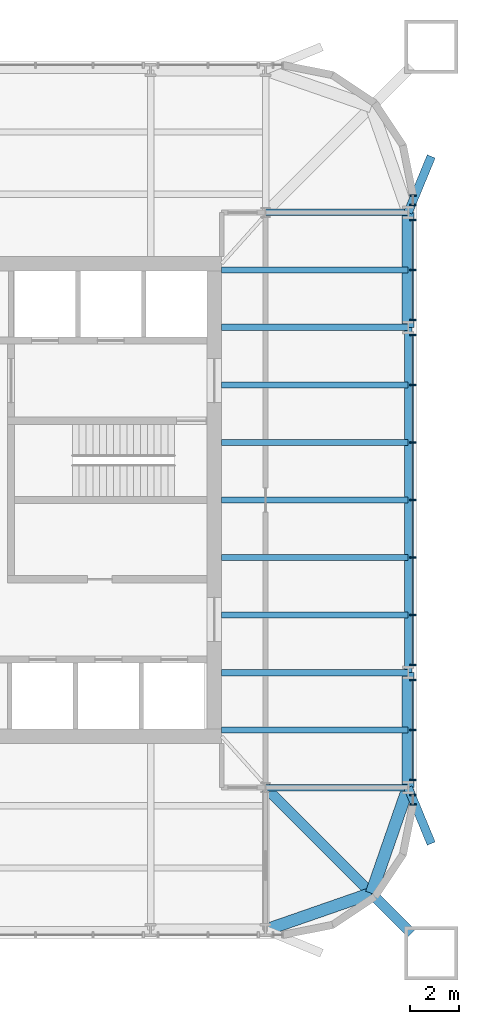
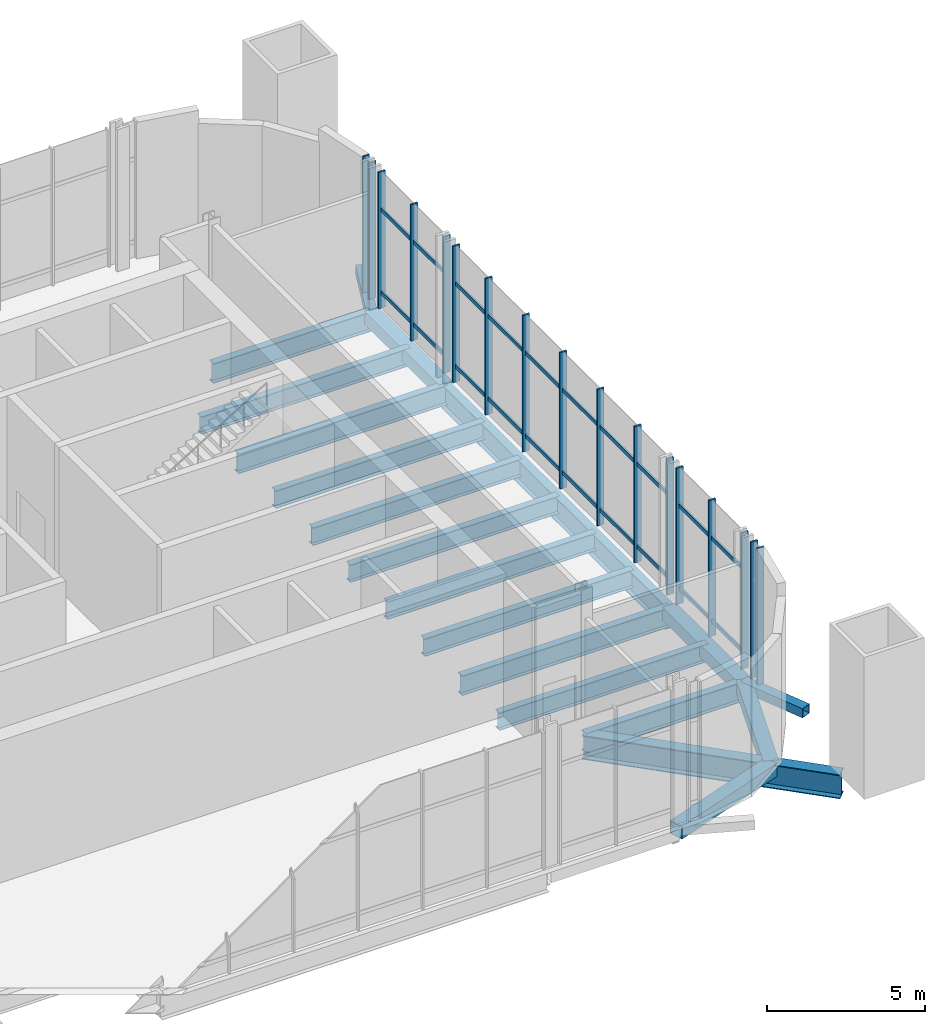
# One storey, part 5 of 17: 37 members, 19 beams, 5 elements without a shape of their own.
"""IFC4 building model written with IfcOpenShell, lengths in metres."""

from ifc_helpers import new_model, si_unit, direction, frame, origin, origin_2d, place, context, subcontext, project, spatial, rectangle, hollow_rectangle, i_section, extrude, material, material_profile, profile_set, type_object, element, aggregate, save


model = new_model("IFC4")

# Units and contexts
model_context = context("Model", 3, precision=1e-05, world=origin(), true_north=direction((0.0, 1.0)))
body_context = subcontext(model_context, "Body", "Model", "MODEL_VIEW")
ifc_project = project(units=[si_unit("LENGTHUNIT", "METRE"), si_unit("AREAUNIT", "SQUARE_METRE"), si_unit("VOLUMEUNIT", "CUBIC_METRE"), si_unit("PLANEANGLEUNIT", "RADIAN"), si_unit("MASSUNIT", "GRAM", prefix="KILO")], contexts=[model_context])

# Site, building, storey
site_placement = place(None, origin())
site = spatial("IfcSite", under=ifc_project, at=site_placement, CompositionType="ELEMENT")
building_placement = place(site_placement, origin())
building = spatial("IfcBuilding", under=site, at=building_placement, Name="Turquesa Mirador Hotel Tower", CompositionType="ELEMENT")
storey_placement = place(building_placement, frame((0.0, 0.0, 266.699951171875)))
storey = spatial("IfcBuildingStorey", under=building, at=storey_placement, Name="L72", CompositionType="ELEMENT", Elevation=266.699951171875)

# Beams
ifc_material_1 = material(Name="Steel ASTM A572 Grade 50", Category="steel")
ifc_material_profile_1 = material_profile(ifc_material_1, hollow_rectangle(XDim=0.5, YDim=0.5, WallThickness=0.01611328125, at=origin_2d()), Name="BOX500X500X16")
ifc_profile_set_1 = profile_set([ifc_material_profile_1], Name="Steel ASTM A572 Grade 50")
beam_type_1 = type_object("IfcBeamType", Name="BEAM BOX500X500X16", PredefinedType="BEAM", material=ifc_profile_set_1)
for number, where, z_axis, x_axis, name in (
    (1, (72.64990234375, 33.199951171875, -0.419921875), (0.0, 1.0, 0.0), (-1.0, 0.0, 0.0), "EB-L72-E-L"),
    (2, (72.64990234375, 52.080078125, -0.419921875), (0.0, 1.0, 0.0), (-1.0, 0.0, 0.0), "EB-L72-E-R"),
):
    element("IfcBeam", number, at=place(storey_placement, frame(where, z_axis=z_axis, x_axis=x_axis)), inside=storey, type_object=beam_type_1, Name=name, PredefinedType="BEAM", context=body_context, shape_type="SweptSolid", body=[
        extrude(hollow_rectangle(XDim=0.5, YDim=0.5, WallThickness=0.01611328125, at=origin_2d()), origin(), (0.0, 0.0, 1.0), 4.719970703125),
    ])
for number, where, z_axis, x_axis, name in (
    (3, (72.64990234375, 33.199951171875, -0.419921875), (-0.328170356092, -0.944618556552, 0.0), (0.944618556552, -0.328170356092, 0.0), "KE-L72-4-0"),
    (4, (71.1416015625, 28.8583984375, -0.419921875), (-0.944618556552, -0.328170356092, 0.0), (0.328170356092, -0.944618556552, 0.0), "KE-L72-4-1"),
):
    element("IfcBeam", number, at=place(storey_placement, frame(where, z_axis=z_axis, x_axis=x_axis)), inside=storey, type_object=beam_type_1, Name=name, PredefinedType="BEAM", context=body_context, shape_type="SweptSolid", body=[
        extrude(hollow_rectangle(XDim=0.5, YDim=0.5, WallThickness=0.01611328125, at=origin_2d()), origin(), (0.0, 0.0, 1.0), 4.59619140625),
    ])
ifc_material_2 = material(Name="Steel ASTM A992 Grade 50", Category="steel")
ifc_material_profile_2 = material_profile(ifc_material_2, i_section(OverallWidth=0.25390625, OverallDepth=0.683349609375, WebThickness=0.012451171875, FlangeThickness=0.018798828125, at=origin_2d()), Name="W27X94")
ifc_profile_set_2 = profile_set([ifc_material_profile_2], Name="Steel ASTM A992 Grade 50")
beam_type_2 = type_object("IfcBeamType", Name="BEAM W27X94", PredefinedType="BEAM", material=ifc_profile_set_2)
for number, where, z_axis, x_axis, name in (
    (5, (72.64990234375, 35.56005859375, -0.511474609375), (-1.0, 0.0, 0.0), (0.0, -1.0, 0.0), "BM-L72-E--9.44"),
    (6, (72.64990234375, 40.280029296875, -0.511474609375), (-1.0, 0.0, 0.0), (0.0, -1.0, 0.0), "BM-L72-E--4.72"),
    (7, (72.64990234375, 42.639892578125, -0.511474609375), (-1.0, 0.0, 0.0), (0.0, -1.0, 0.0), "BM-L72-E--2.36"),
    (8, (72.64990234375, 45.0, -0.511474609375), (-1.0, 0.0, 0.0), (0.0, -1.0, 0.0), "BM-L72-E-+0.00"),
    (9, (72.64990234375, 47.360107421875, -0.511474609375), (-1.0, 0.0, 0.0), (0.0, -1.0, 0.0), "BM-L72-E-+2.36"),
    (10, (72.64990234375, 49.719970703125, -0.511474609375), (-1.0, 0.0, 0.0), (0.0, -1.0, 0.0), "BM-L72-E-+4.72"),
    (11, (72.64990234375, 54.43994140625, -0.511474609375), (-1.0, 0.0, 0.0), (0.0, -1.0, 0.0), "BM-L72-E-+9.44"),
):
    element("IfcBeam", number, at=place(storey_placement, frame(where, z_axis=z_axis, x_axis=x_axis)), inside=storey, type_object=beam_type_2, Name=name, PredefinedType="BEAM", context=body_context, shape_type="SweptSolid", body=[
        extrude(i_section(OverallWidth=0.25390625, OverallDepth=0.683349609375, WebThickness=0.012451171875, FlangeThickness=0.018798828125, at=origin_2d()), origin(), (0.0, 0.0, 1.0), 7.64990234375),
    ])
ifc_material_3 = material(Name="Steel ASTM A992 Grade 50", Category="steel")
ifc_material_profile_3 = material_profile(ifc_material_3, i_section(OverallWidth=0.2666015625, OverallDepth=0.761962890625, WebThickness=0.014404296875, FlangeThickness=0.021484375, at=origin_2d()), Name="W30X116")
ifc_profile_set_3 = profile_set([ifc_material_profile_3], Name="Steel ASTM A992 Grade 50")
beam_type_3 = type_object("IfcBeamType", Name="BEAM W30X116", PredefinedType="BEAM", material=ifc_profile_set_3)
for number, where, z_axis, x_axis, name in (
    (12, (72.64990234375, 37.919921875, -0.551025390625), (-1.0, 0.0, 0.0), (0.0, -1.0, 0.0), "GD-L72-E--7.08"),
    (13, (72.64990234375, 52.080078125, -0.551025390625), (-1.0, 0.0, 0.0), (0.0, -1.0, 0.0), "GD-L72-E-+7.08"),
):
    element("IfcBeam", number, at=place(storey_placement, frame(where, z_axis=z_axis, x_axis=x_axis)), inside=storey, type_object=beam_type_3, Name=name, PredefinedType="BEAM", context=body_context, shape_type="SweptSolid", body=[
        extrude(i_section(OverallWidth=0.2666015625, OverallDepth=0.761962890625, WebThickness=0.014404296875, FlangeThickness=0.021484375, at=origin_2d()), origin(), (0.0, 0.0, 1.0), 7.64990234375),
    ])
for number, where, z_axis, x_axis, name in (
    (14, (72.64990234375, 33.199951171875, -0.551025390625), (-1.0, 0.0, 0.0), (0.0, -1.0, 0.0), "GK-L72-E--11.80"),
    (15, (72.64990234375, 56.800048828125, -0.551025390625), (-1.0, 0.0, 0.0), (0.0, -1.0, 0.0), "GK-L72-E-+11.80"),
):
    element("IfcBeam", number, at=place(storey_placement, frame(where, z_axis=z_axis, x_axis=x_axis)), inside=storey, type_object=beam_type_3, Name=name, PredefinedType="BEAM", context=body_context, shape_type="SweptSolid", body=[
        extrude(i_section(OverallWidth=0.2666015625, OverallDepth=0.761962890625, WebThickness=0.014404296875, FlangeThickness=0.021484375, at=origin_2d()), origin(), (0.0, 0.0, 1.0), 5.849853515625),
    ])
ifc_material_4 = material(Name="Steel ASTM A992 Grade 50", Category="steel")
ifc_material_profile_4 = material_profile(ifc_material_4, i_section(OverallWidth=0.3046875, OverallDepth=0.911865234375, WebThickness=0.015869140625, FlangeThickness=0.02392578125, at=origin_2d()), Name="W36X150")
ifc_profile_set_4 = profile_set([ifc_material_profile_4], Name="Steel ASTM A992 Grade 50")
beam_type_4 = type_object("IfcBeamType", Name="BEAM W36X150", PredefinedType="BEAM", material=ifc_profile_set_4)
beam_1_placement = place(storey_placement, frame((72.64990234375, 37.919921875, -0.6259765625), z_axis=(0.0, 1.0, 0.0), x_axis=(-1.0, 0.0, 0.0)))
element("IfcBeam", 16, at=beam_1_placement, inside=storey, type_object=beam_type_4, Name="EB-L72-E-C", PredefinedType="BEAM", context=body_context, shape_type="SweptSolid", body=[
    extrude(i_section(OverallWidth=0.3046875, OverallDepth=0.911865234375, WebThickness=0.015869140625, FlangeThickness=0.02392578125, at=origin_2d()), origin(), (0.0, 0.0, 1.0), 14.16015625),
])
ifc_material_5 = material(Name="Steel ASTM A992 Grade 50", Category="steel")
ifc_material_profile_5 = material_profile(ifc_material_5, i_section(OverallWidth=0.419189453125, OverallDepth=0.927001953125, WebThickness=0.019287109375, FlangeThickness=0.031982421875, at=origin_2d()), Name="W36X231")
ifc_profile_set_5 = profile_set([ifc_material_profile_5], Name="Steel ASTM A992 Grade 50")
beam_type_5 = type_object("IfcBeamType", Name="BEAM W36X231", PredefinedType="BEAM", material=ifc_profile_set_5)
beam_2_placement = place(storey_placement, frame((66.800048828125, 33.199951171875, -0.633544921875), z_axis=(0.707106781187, -0.707106781187, 0.0), x_axis=(0.707106781187, 0.707106781187, 0.0)))
element("IfcBeam", 17, at=beam_2_placement, inside=storey, type_object=beam_type_5, Name="KD-L72-4", PredefinedType="BEAM", context=body_context, shape_type="SweptSolid", body=[
    extrude(i_section(OverallWidth=0.419189453125, OverallDepth=0.927001953125, WebThickness=0.019287109375, FlangeThickness=0.031982421875, at=origin_2d()), origin(), (0.0, 0.0, 1.0), 8.46240234375),
])
ifc_material_6 = material(Name="Steel ASTM A500 Grade C", Category="steel")
ifc_material_profile_6 = material_profile(ifc_material_6, hollow_rectangle(XDim=0.355712890625, YDim=0.355712890625, WallThickness=0.0146484375, at=origin_2d()), Name="HSS14X14X5/8")
ifc_profile_set_6 = profile_set([ifc_material_profile_6], Name="Steel ASTM A500 Grade C")
beam_type_6 = type_object("IfcBeamType", Name="BRACE STRUT HSS14X14X5/8", PredefinedType="BEAM", material=ifc_profile_set_6)
for number, where, z_axis, x_axis, name in (
    (18, (73.60009765625, 59.103271484375, -0.34765625), (-0.381370698887, -0.924422192524, 0.0), (0.924422192524, -0.381370698887, 0.0), "Brace strut"),
    (19, (73.60009765625, 30.896728515625, -0.34765625), (-0.381370698887, 0.924422192524, 0.0), (-0.924422192524, -0.381370698887, 0.0), "Brace strut"),
):
    element("IfcBeam", number, at=place(storey_placement, frame(where, z_axis=z_axis, x_axis=x_axis)), inside=storey, type_object=beam_type_6, Name=name, PredefinedType="BEAM", context=body_context, shape_type="SweptSolid", body=[
        extrude(hollow_rectangle(XDim=0.355712890625, YDim=0.355712890625, WallThickness=0.0146484375, at=origin_2d()), origin(), (0.0, 0.0, 1.0), 2.491455078125),
    ])

# Curtain wall, members
ifc_material_7 = material(Name="Aluminium extrusion", Category="aluminium")
curtain_wall_type = type_object("IfcCurtainWallType", Name="CW-6 OBSERVATION CURTAIN WALL", PredefinedType="USERDEFINED", material=ifc_material_7)
curtain_wall_1_placement = place(storey_placement, origin())
curtain_wall_1 = element("IfcCurtainWall", 20, at=curtain_wall_1_placement, inside=storey, type_object=curtain_wall_type, Name="CW-6 OBSERVATION CURTAIN WALL L72", ObjectType="CURTAIN WALL", PredefinedType="USERDEFINED")
ifc_material_8 = material(Name="Aluminium extrusion", Category="aluminium")
ifc_material_profile_7 = material_profile(ifc_material_8, rectangle(XDim=0.06494140625, YDim=0.25, at=origin_2d()), Name="MULLION 65X250")
ifc_profile_set_7 = profile_set([ifc_material_profile_7], Name="Aluminium extrusion")
member_type_1 = type_object("IfcMemberType", Name="CW MULLION 65X250", PredefinedType="MULLION", material=ifc_profile_set_7)
member_1_placement = place(storey_placement, frame((72.85009765625, 32.5, 0.0), z_axis=(0.0, 0.0, 1.0), x_axis=(0.0, 1.0, 0.0)))
member_1 = element("IfcMember", 21, at=member_1_placement, type_object=member_type_1, Name="Mullion", PredefinedType="MULLION", context=body_context, shape_type="SweptSolid", body=[
    extrude(rectangle(XDim=0.06494140625, YDim=0.25, at=origin_2d()), origin(), (0.0, 0.0, 1.0), 5.280029296875),
])
member_2_placement = place(storey_placement, frame((72.85009765625, 32.900146484375, 0.0), z_axis=(0.0, 0.0, 1.0), x_axis=(0.0, 1.0, 0.0)))
member_2 = element("IfcMember", 22, at=member_2_placement, type_object=member_type_1, Name="Mullion", PredefinedType="MULLION", context=body_context, shape_type="SweptSolid", body=[
    extrude(rectangle(XDim=0.06494140625, YDim=0.25, at=origin_2d()), origin(), (0.0, 0.0, 1.0), 5.280029296875),
])
aggregate(curtain_wall_1, [member_1, member_2])

curtain_wall_2_placement = place(storey_placement, origin())
curtain_wall_2 = element("IfcCurtainWall", 23, at=curtain_wall_2_placement, inside=storey, type_object=curtain_wall_type, Name="CW-6 OBSERVATION CURTAIN WALL L72", ObjectType="CURTAIN WALL", PredefinedType="USERDEFINED")
member_3_placement = place(storey_placement, frame((72.85009765625, 33.5, 0.0), z_axis=(0.0, 0.0, 1.0), x_axis=(0.0, 1.0, 0.0)))
member_3 = element("IfcMember", 24, at=member_3_placement, type_object=member_type_1, Name="Mullion", PredefinedType="MULLION", context=body_context, shape_type="SweptSolid", body=[
    extrude(rectangle(XDim=0.06494140625, YDim=0.25, at=origin_2d()), origin(), (0.0, 0.0, 1.0), 5.280029296875),
])
member_4_placement = place(storey_placement, frame((72.85009765625, 35.56005859375, 0.0), z_axis=(0.0, 0.0, 1.0), x_axis=(0.0, 1.0, 0.0)))
member_4 = element("IfcMember", 25, at=member_4_placement, type_object=member_type_1, Name="Mullion", PredefinedType="MULLION", context=body_context, shape_type="SweptSolid", body=[
    extrude(rectangle(XDim=0.06494140625, YDim=0.25, at=origin_2d()), origin(), (0.0, 0.0, 1.0), 5.280029296875),
])
member_5_placement = place(storey_placement, frame((72.85009765625, 37.6201171875, 0.0), z_axis=(0.0, 0.0, 1.0), x_axis=(0.0, 1.0, 0.0)))
member_5 = element("IfcMember", 26, at=member_5_placement, type_object=member_type_1, Name="Mullion", PredefinedType="MULLION", context=body_context, shape_type="SweptSolid", body=[
    extrude(rectangle(XDim=0.06494140625, YDim=0.25, at=origin_2d()), origin(), (0.0, 0.0, 1.0), 5.280029296875),
])

curtain_wall_3_placement = place(storey_placement, origin())
curtain_wall_3 = element("IfcCurtainWall", 27, at=curtain_wall_3_placement, inside=storey, type_object=curtain_wall_type, Name="CW-6 OBSERVATION CURTAIN WALL L72", ObjectType="CURTAIN WALL", PredefinedType="USERDEFINED")
member_6_placement = place(storey_placement, frame((72.85009765625, 38.219970703125, 0.0), z_axis=(0.0, 0.0, 1.0), x_axis=(0.0, 1.0, 0.0)))
member_6 = element("IfcMember", 28, at=member_6_placement, type_object=member_type_1, Name="Mullion", PredefinedType="MULLION", context=body_context, shape_type="SweptSolid", body=[
    extrude(rectangle(XDim=0.06494140625, YDim=0.25, at=origin_2d()), origin(), (0.0, 0.0, 1.0), 5.280029296875),
])
member_7_placement = place(storey_placement, frame((72.85009765625, 40.280029296875, 0.0), z_axis=(0.0, 0.0, 1.0), x_axis=(0.0, 1.0, 0.0)))
member_7 = element("IfcMember", 29, at=member_7_placement, type_object=member_type_1, Name="Mullion", PredefinedType="MULLION", context=body_context, shape_type="SweptSolid", body=[
    extrude(rectangle(XDim=0.06494140625, YDim=0.25, at=origin_2d()), origin(), (0.0, 0.0, 1.0), 5.280029296875),
])
member_8_placement = place(storey_placement, frame((72.85009765625, 42.639892578125, 0.0), z_axis=(0.0, 0.0, 1.0), x_axis=(0.0, 1.0, 0.0)))
member_8 = element("IfcMember", 30, at=member_8_placement, type_object=member_type_1, Name="Mullion", PredefinedType="MULLION", context=body_context, shape_type="SweptSolid", body=[
    extrude(rectangle(XDim=0.06494140625, YDim=0.25, at=origin_2d()), origin(), (0.0, 0.0, 1.0), 5.280029296875),
])
member_9_placement = place(storey_placement, frame((72.85009765625, 45.0, 0.0), z_axis=(0.0, 0.0, 1.0), x_axis=(0.0, 1.0, 0.0)))
member_9 = element("IfcMember", 31, at=member_9_placement, type_object=member_type_1, Name="Mullion", PredefinedType="MULLION", context=body_context, shape_type="SweptSolid", body=[
    extrude(rectangle(XDim=0.06494140625, YDim=0.25, at=origin_2d()), origin(), (0.0, 0.0, 1.0), 5.280029296875),
])
member_10_placement = place(storey_placement, frame((72.85009765625, 47.360107421875, 0.0), z_axis=(0.0, 0.0, 1.0), x_axis=(0.0, 1.0, 0.0)))
member_10 = element("IfcMember", 32, at=member_10_placement, type_object=member_type_1, Name="Mullion", PredefinedType="MULLION", context=body_context, shape_type="SweptSolid", body=[
    extrude(rectangle(XDim=0.06494140625, YDim=0.25, at=origin_2d()), origin(), (0.0, 0.0, 1.0), 5.280029296875),
])
member_11_placement = place(storey_placement, frame((72.85009765625, 49.719970703125, 0.0), z_axis=(0.0, 0.0, 1.0), x_axis=(0.0, 1.0, 0.0)))
member_11 = element("IfcMember", 33, at=member_11_placement, type_object=member_type_1, Name="Mullion", PredefinedType="MULLION", context=body_context, shape_type="SweptSolid", body=[
    extrude(rectangle(XDim=0.06494140625, YDim=0.25, at=origin_2d()), origin(), (0.0, 0.0, 1.0), 5.280029296875),
])
member_12_placement = place(storey_placement, frame((72.85009765625, 51.780029296875, 0.0), z_axis=(0.0, 0.0, 1.0), x_axis=(0.0, 1.0, 0.0)))
member_12 = element("IfcMember", 34, at=member_12_placement, type_object=member_type_1, Name="Mullion", PredefinedType="MULLION", context=body_context, shape_type="SweptSolid", body=[
    extrude(rectangle(XDim=0.06494140625, YDim=0.25, at=origin_2d()), origin(), (0.0, 0.0, 1.0), 5.280029296875),
])

curtain_wall_4_placement = place(storey_placement, origin())
curtain_wall_4 = element("IfcCurtainWall", 35, at=curtain_wall_4_placement, inside=storey, type_object=curtain_wall_type, Name="CW-6 OBSERVATION CURTAIN WALL L72", ObjectType="CURTAIN WALL", PredefinedType="USERDEFINED")
member_13_placement = place(storey_placement, frame((72.85009765625, 52.3798828125, 0.0), z_axis=(0.0, 0.0, 1.0), x_axis=(0.0, 1.0, 0.0)))
member_13 = element("IfcMember", 36, at=member_13_placement, type_object=member_type_1, Name="Mullion", PredefinedType="MULLION", context=body_context, shape_type="SweptSolid", body=[
    extrude(rectangle(XDim=0.06494140625, YDim=0.25, at=origin_2d()), origin(), (0.0, 0.0, 1.0), 5.280029296875),
])
member_14_placement = place(storey_placement, frame((72.85009765625, 54.43994140625, 0.0), z_axis=(0.0, 0.0, 1.0), x_axis=(0.0, 1.0, 0.0)))
member_14 = element("IfcMember", 37, at=member_14_placement, type_object=member_type_1, Name="Mullion", PredefinedType="MULLION", context=body_context, shape_type="SweptSolid", body=[
    extrude(rectangle(XDim=0.06494140625, YDim=0.25, at=origin_2d()), origin(), (0.0, 0.0, 1.0), 5.280029296875),
])
member_15_placement = place(storey_placement, frame((72.85009765625, 56.5, 0.0), z_axis=(0.0, 0.0, 1.0), x_axis=(0.0, 1.0, 0.0)))
member_15 = element("IfcMember", 38, at=member_15_placement, type_object=member_type_1, Name="Mullion", PredefinedType="MULLION", context=body_context, shape_type="SweptSolid", body=[
    extrude(rectangle(XDim=0.06494140625, YDim=0.25, at=origin_2d()), origin(), (0.0, 0.0, 1.0), 5.280029296875),
])

curtain_wall_5_placement = place(storey_placement, origin())
curtain_wall_5 = element("IfcCurtainWall", 39, at=curtain_wall_5_placement, inside=storey, type_object=curtain_wall_type, Name="CW-6 OBSERVATION CURTAIN WALL L72", ObjectType="CURTAIN WALL", PredefinedType="USERDEFINED")
member_16_placement = place(storey_placement, frame((72.85009765625, 57.099853515625, 0.0), z_axis=(0.0, 0.0, 1.0), x_axis=(0.0, 1.0, 0.0)))
member_16 = element("IfcMember", 40, at=member_16_placement, type_object=member_type_1, Name="Mullion", PredefinedType="MULLION", context=body_context, shape_type="SweptSolid", body=[
    extrude(rectangle(XDim=0.06494140625, YDim=0.25, at=origin_2d()), origin(), (0.0, 0.0, 1.0), 5.280029296875),
])
member_17_placement = place(storey_placement, frame((72.85009765625, 57.5, 0.0), z_axis=(0.0, 0.0, 1.0), x_axis=(0.0, 1.0, 0.0)))
member_17 = element("IfcMember", 41, at=member_17_placement, type_object=member_type_1, Name="Mullion", PredefinedType="MULLION", context=body_context, shape_type="SweptSolid", body=[
    extrude(rectangle(XDim=0.06494140625, YDim=0.25, at=origin_2d()), origin(), (0.0, 0.0, 1.0), 5.280029296875),
])
aggregate(curtain_wall_5, [member_16, member_17])

# Member
ifc_material_9 = material(Name="Aluminium extrusion", Category="aluminium")
ifc_material_profile_8 = material_profile(ifc_material_9, rectangle(XDim=0.06494140625, YDim=0.14990234375, at=origin_2d()), Name="TRANSOM 65X150")
ifc_profile_set_8 = profile_set([ifc_material_profile_8], Name="Aluminium extrusion")
member_type_2 = type_object("IfcMemberType", Name="CW TRANSOM 65X150", PredefinedType="USERDEFINED", material=ifc_profile_set_8)
member_18_placement = place(storey_placement, frame((72.85009765625, 33.532470703125, 0.60009765625), z_axis=(0.0, 1.0, 0.0), x_axis=(-1.0, 0.0, 0.0)))
member_18 = element("IfcMember", 42, at=member_18_placement, type_object=member_type_2, Name="Transom", ObjectType="TRANSOM", PredefinedType="USERDEFINED", context=body_context, shape_type="SweptSolid", body=[
    extrude(rectangle(XDim=0.06494140625, YDim=0.14990234375, at=origin_2d()), origin(), (0.0, 0.0, 1.0), 1.9951171875),
])

member_19_placement = place(storey_placement, frame((72.85009765625, 33.532470703125, 3.800048828125), z_axis=(0.0, 1.0, 0.0), x_axis=(-1.0, 0.0, 0.0)))
member_19 = element("IfcMember", 43, at=member_19_placement, type_object=member_type_2, Name="Transom", ObjectType="TRANSOM", PredefinedType="USERDEFINED", context=body_context, shape_type="SweptSolid", body=[
    extrude(rectangle(XDim=0.06494140625, YDim=0.14990234375, at=origin_2d()), origin(), (0.0, 0.0, 1.0), 1.9951171875),
])

member_20_placement = place(storey_placement, frame((72.85009765625, 35.592529296875, 0.60009765625), z_axis=(0.0, 1.0, 0.0), x_axis=(-1.0, 0.0, 0.0)))
member_20 = element("IfcMember", 44, at=member_20_placement, type_object=member_type_2, Name="Transom", ObjectType="TRANSOM", PredefinedType="USERDEFINED", context=body_context, shape_type="SweptSolid", body=[
    extrude(rectangle(XDim=0.06494140625, YDim=0.14990234375, at=origin_2d()), origin(), (0.0, 0.0, 1.0), 1.9951171875),
])

member_21_placement = place(storey_placement, frame((72.85009765625, 35.592529296875, 3.800048828125), z_axis=(0.0, 1.0, 0.0), x_axis=(-1.0, 0.0, 0.0)))
member_21 = element("IfcMember", 45, at=member_21_placement, type_object=member_type_2, Name="Transom", ObjectType="TRANSOM", PredefinedType="USERDEFINED", context=body_context, shape_type="SweptSolid", body=[
    extrude(rectangle(XDim=0.06494140625, YDim=0.14990234375, at=origin_2d()), origin(), (0.0, 0.0, 1.0), 1.9951171875),
])

aggregate(curtain_wall_2, [member_3, member_4, member_5, member_18, member_19, member_20, member_21])

member_22_placement = place(storey_placement, frame((72.85009765625, 38.25244140625, 0.60009765625), z_axis=(0.0, 1.0, 0.0), x_axis=(-1.0, 0.0, 0.0)))
member_22 = element("IfcMember", 46, at=member_22_placement, type_object=member_type_2, Name="Transom", ObjectType="TRANSOM", PredefinedType="USERDEFINED", context=body_context, shape_type="SweptSolid", body=[
    extrude(rectangle(XDim=0.06494140625, YDim=0.14990234375, at=origin_2d()), origin(), (0.0, 0.0, 1.0), 1.9951171875),
])

member_23_placement = place(storey_placement, frame((72.85009765625, 38.25244140625, 3.800048828125), z_axis=(0.0, 1.0, 0.0), x_axis=(-1.0, 0.0, 0.0)))
member_23 = element("IfcMember", 47, at=member_23_placement, type_object=member_type_2, Name="Transom", ObjectType="TRANSOM", PredefinedType="USERDEFINED", context=body_context, shape_type="SweptSolid", body=[
    extrude(rectangle(XDim=0.06494140625, YDim=0.14990234375, at=origin_2d()), origin(), (0.0, 0.0, 1.0), 1.9951171875),
])

member_24_placement = place(storey_placement, frame((72.85009765625, 40.3125, 0.60009765625), z_axis=(0.0, 1.0, 0.0), x_axis=(-1.0, 0.0, 0.0)))
member_24 = element("IfcMember", 48, at=member_24_placement, type_object=member_type_2, Name="Transom", ObjectType="TRANSOM", PredefinedType="USERDEFINED", context=body_context, shape_type="SweptSolid", body=[
    extrude(rectangle(XDim=0.06494140625, YDim=0.14990234375, at=origin_2d()), origin(), (0.0, 0.0, 1.0), 2.294921875),
])

member_25_placement = place(storey_placement, frame((72.85009765625, 40.3125, 3.800048828125), z_axis=(0.0, 1.0, 0.0), x_axis=(-1.0, 0.0, 0.0)))
member_25 = element("IfcMember", 49, at=member_25_placement, type_object=member_type_2, Name="Transom", ObjectType="TRANSOM", PredefinedType="USERDEFINED", context=body_context, shape_type="SweptSolid", body=[
    extrude(rectangle(XDim=0.06494140625, YDim=0.14990234375, at=origin_2d()), origin(), (0.0, 0.0, 1.0), 2.294921875),
])

member_26_placement = place(storey_placement, frame((72.85009765625, 42.672607421875, 0.60009765625), z_axis=(0.0, 1.0, 0.0), x_axis=(-1.0, 0.0, 0.0)))
member_26 = element("IfcMember", 50, at=member_26_placement, type_object=member_type_2, Name="Transom", ObjectType="TRANSOM", PredefinedType="USERDEFINED", context=body_context, shape_type="SweptSolid", body=[
    extrude(rectangle(XDim=0.06494140625, YDim=0.14990234375, at=origin_2d()), origin(), (0.0, 0.0, 1.0), 2.294921875),
])

member_27_placement = place(storey_placement, frame((72.85009765625, 42.672607421875, 3.800048828125), z_axis=(0.0, 1.0, 0.0), x_axis=(-1.0, 0.0, 0.0)))
member_27 = element("IfcMember", 51, at=member_27_placement, type_object=member_type_2, Name="Transom", ObjectType="TRANSOM", PredefinedType="USERDEFINED", context=body_context, shape_type="SweptSolid", body=[
    extrude(rectangle(XDim=0.06494140625, YDim=0.14990234375, at=origin_2d()), origin(), (0.0, 0.0, 1.0), 2.294921875),
])

member_28_placement = place(storey_placement, frame((72.85009765625, 45.032470703125, 0.60009765625), z_axis=(0.0, 1.0, 0.0), x_axis=(-1.0, 0.0, 0.0)))
member_28 = element("IfcMember", 52, at=member_28_placement, type_object=member_type_2, Name="Transom", ObjectType="TRANSOM", PredefinedType="USERDEFINED", context=body_context, shape_type="SweptSolid", body=[
    extrude(rectangle(XDim=0.06494140625, YDim=0.14990234375, at=origin_2d()), origin(), (0.0, 0.0, 1.0), 2.294921875),
])

member_29_placement = place(storey_placement, frame((72.85009765625, 45.032470703125, 3.800048828125), z_axis=(0.0, 1.0, 0.0), x_axis=(-1.0, 0.0, 0.0)))
member_29 = element("IfcMember", 53, at=member_29_placement, type_object=member_type_2, Name="Transom", ObjectType="TRANSOM", PredefinedType="USERDEFINED", context=body_context, shape_type="SweptSolid", body=[
    extrude(rectangle(XDim=0.06494140625, YDim=0.14990234375, at=origin_2d()), origin(), (0.0, 0.0, 1.0), 2.294921875),
])

member_30_placement = place(storey_placement, frame((72.85009765625, 47.392578125, 0.60009765625), z_axis=(0.0, 1.0, 0.0), x_axis=(-1.0, 0.0, 0.0)))
member_30 = element("IfcMember", 54, at=member_30_placement, type_object=member_type_2, Name="Transom", ObjectType="TRANSOM", PredefinedType="USERDEFINED", context=body_context, shape_type="SweptSolid", body=[
    extrude(rectangle(XDim=0.06494140625, YDim=0.14990234375, at=origin_2d()), origin(), (0.0, 0.0, 1.0), 2.294921875),
])

member_31_placement = place(storey_placement, frame((72.85009765625, 47.392578125, 3.800048828125), z_axis=(0.0, 1.0, 0.0), x_axis=(-1.0, 0.0, 0.0)))
member_31 = element("IfcMember", 55, at=member_31_placement, type_object=member_type_2, Name="Transom", ObjectType="TRANSOM", PredefinedType="USERDEFINED", context=body_context, shape_type="SweptSolid", body=[
    extrude(rectangle(XDim=0.06494140625, YDim=0.14990234375, at=origin_2d()), origin(), (0.0, 0.0, 1.0), 2.294921875),
])

member_32_placement = place(storey_placement, frame((72.85009765625, 49.75244140625, 0.60009765625), z_axis=(0.0, 1.0, 0.0), x_axis=(-1.0, 0.0, 0.0)))
member_32 = element("IfcMember", 56, at=member_32_placement, type_object=member_type_2, Name="Transom", ObjectType="TRANSOM", PredefinedType="USERDEFINED", context=body_context, shape_type="SweptSolid", body=[
    extrude(rectangle(XDim=0.06494140625, YDim=0.14990234375, at=origin_2d()), origin(), (0.0, 0.0, 1.0), 1.9951171875),
])

member_33_placement = place(storey_placement, frame((72.85009765625, 49.75244140625, 3.800048828125), z_axis=(0.0, 1.0, 0.0), x_axis=(-1.0, 0.0, 0.0)))
member_33 = element("IfcMember", 57, at=member_33_placement, type_object=member_type_2, Name="Transom", ObjectType="TRANSOM", PredefinedType="USERDEFINED", context=body_context, shape_type="SweptSolid", body=[
    extrude(rectangle(XDim=0.06494140625, YDim=0.14990234375, at=origin_2d()), origin(), (0.0, 0.0, 1.0), 1.9951171875),
])

aggregate(curtain_wall_3, [member_6, member_7, member_8, member_9, member_10, member_11, member_12, member_22, member_23, member_24, member_25, member_26, member_27, member_28, member_29, member_30, member_31, member_32, member_33])

member_34_placement = place(storey_placement, frame((72.85009765625, 52.412353515625, 0.60009765625), z_axis=(0.0, 1.0, 0.0), x_axis=(-1.0, 0.0, 0.0)))
member_34 = element("IfcMember", 58, at=member_34_placement, type_object=member_type_2, Name="Transom", ObjectType="TRANSOM", PredefinedType="USERDEFINED", context=body_context, shape_type="SweptSolid", body=[
    extrude(rectangle(XDim=0.06494140625, YDim=0.14990234375, at=origin_2d()), origin(), (0.0, 0.0, 1.0), 1.9951171875),
])

member_35_placement = place(storey_placement, frame((72.85009765625, 52.412353515625, 3.800048828125), z_axis=(0.0, 1.0, 0.0), x_axis=(-1.0, 0.0, 0.0)))
member_35 = element("IfcMember", 59, at=member_35_placement, type_object=member_type_2, Name="Transom", ObjectType="TRANSOM", PredefinedType="USERDEFINED", context=body_context, shape_type="SweptSolid", body=[
    extrude(rectangle(XDim=0.06494140625, YDim=0.14990234375, at=origin_2d()), origin(), (0.0, 0.0, 1.0), 1.9951171875),
])

member_36_placement = place(storey_placement, frame((72.85009765625, 54.472412109375, 0.60009765625), z_axis=(0.0, 1.0, 0.0), x_axis=(-1.0, 0.0, 0.0)))
member_36 = element("IfcMember", 60, at=member_36_placement, type_object=member_type_2, Name="Transom", ObjectType="TRANSOM", PredefinedType="USERDEFINED", context=body_context, shape_type="SweptSolid", body=[
    extrude(rectangle(XDim=0.06494140625, YDim=0.14990234375, at=origin_2d()), origin(), (0.0, 0.0, 1.0), 1.9951171875),
])

member_37_placement = place(storey_placement, frame((72.85009765625, 54.472412109375, 3.800048828125), z_axis=(0.0, 1.0, 0.0), x_axis=(-1.0, 0.0, 0.0)))
member_37 = element("IfcMember", 61, at=member_37_placement, type_object=member_type_2, Name="Transom", ObjectType="TRANSOM", PredefinedType="USERDEFINED", context=body_context, shape_type="SweptSolid", body=[
    extrude(rectangle(XDim=0.06494140625, YDim=0.14990234375, at=origin_2d()), origin(), (0.0, 0.0, 1.0), 1.9951171875),
])

aggregate(curtain_wall_4, [member_13, member_14, member_15, member_34, member_35, member_36, member_37])

save(model, "model.ifc")
